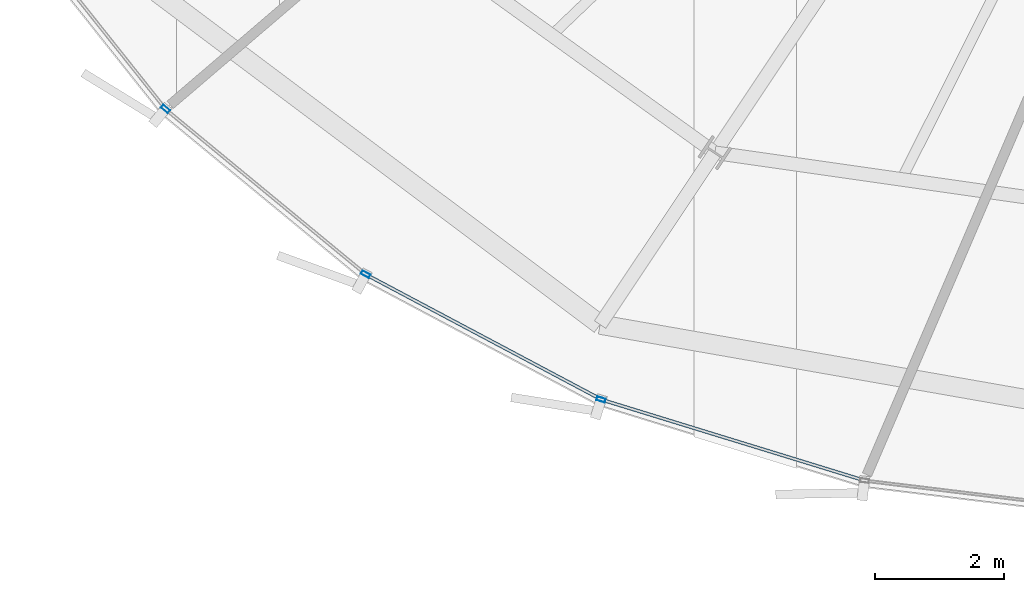
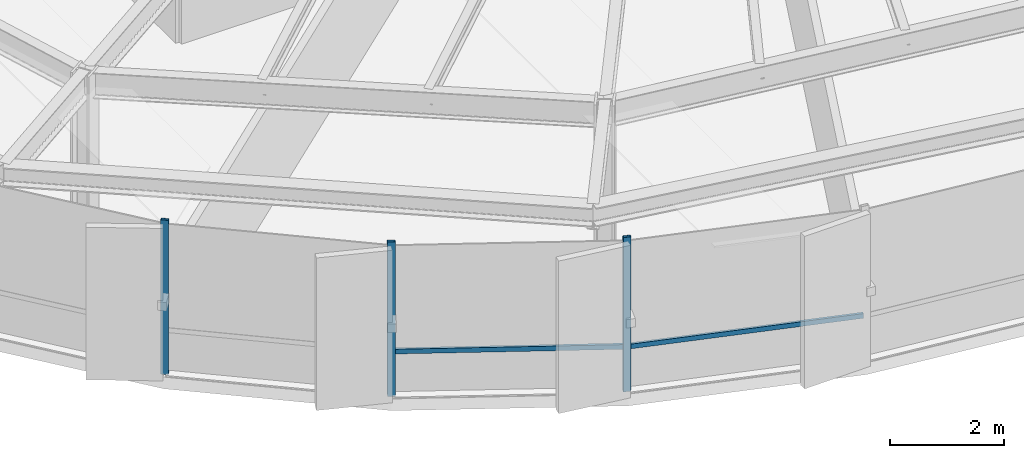
# One storey, part 2 of 36: 5 members, 1 element without a shape of its own.
"""IFC4 building model written with IfcOpenShell, lengths in metres."""

import ifcopenshell
import ifcopenshell.guid

model = None  # the IFC model being written
_history = None  # IfcOwnerHistory: only IFC2X3 demands one
_inside = {}  # id of a spatial element -> (the spatial element, [elements in it])
_under = {}  # id of a project, library or spatial element -> (it, [spatial elements below it])
_declared = {}  # id of a project -> (the project, [libraries it declares])
_typed = {}  # id of a type object -> (the type object, [elements of that type])
_made_of = {}  # id of a material, layer set ... -> (it, [elements and type objects made of it])


def new_model(schema):
    """Start an empty IFC model of exactly this schema.

    Asked for "IFC4X3", IfcOpenShell would pick the latest addendum, in which some entities
    have other attributes; the version numbers below select the first issue.
    IFC2X3 requires an IfcOwnerHistory on every rooted entity: one is made here for all.
    """
    global model, _history
    if schema == "IFC4X3":
        model = ifcopenshell.file(schema_version=(4, 3, 0, 0))
    else:
        model = ifcopenshell.file(schema=schema)
    _inside.clear()
    _under.clear()
    _declared.clear()
    _typed.clear()
    _made_of.clear()
    _history = None
    if model.schema == "IFC2X3":
        org = make("IfcOrganization", Name="unknown")
        user = make(
            "IfcPersonAndOrganization",
            ThePerson=make("IfcPerson", FamilyName="unknown"),
            TheOrganization=org,
        )
        app = make(
            "IfcApplication",
            ApplicationDeveloper=org,
            Version="unknown",
            ApplicationFullName="unknown",
            ApplicationIdentifier="unknown",
        )
        _history = make(
            "IfcOwnerHistory",
            OwningUser=user,
            OwningApplication=app,
            ChangeAction="ADDED",
            CreationDate=0,
        )
    return model


def make(cls, **values):
    """One entity of the class cls with the attributes given. An attribute that is None is left unset."""
    return model.create_entity(
        cls, **{name: value for name, value in values.items() if value is not None}
    )


def rooted(cls, **values):
    """An entity with a GlobalId (a new one), such as an element, a storey or a relation."""
    return make(cls, GlobalId=ifcopenshell.guid.new(), OwnerHistory=_history, **values)


def si_unit(unit_type, name, prefix=None):
    """IfcSIUnit, for example si_unit("LENGTHUNIT", "METRE", prefix="MILLI")."""
    return make("IfcSIUnit", UnitType=unit_type, Prefix=prefix, Name=name)


def assignment(units):
    """IfcUnitAssignment: the units of a project."""
    return None if units is None else make("IfcUnitAssignment", Units=units)


def point(xyz):
    """IfcCartesianPoint."""
    return None if xyz is None else make("IfcCartesianPoint", Coordinates=xyz)


def direction(xyz):
    """IfcDirection."""
    return None if xyz is None else make("IfcDirection", DirectionRatios=xyz)


def frame(location, z_axis=None, x_axis=None):
    """IfcAxis2Placement3D, a coordinate frame: its origin and axes. An axis left out is left unset."""
    return make(
        "IfcAxis2Placement3D",
        Location=point(location),
        Axis=direction(z_axis),
        RefDirection=direction(x_axis),
    )


def frame_2d(location, x_axis=None):
    """IfcAxis2Placement2D, a coordinate frame in the plane: its origin and x axis."""
    return make(
        "IfcAxis2Placement2D", Location=point(location), RefDirection=direction(x_axis)
    )


def origin():
    """The frame at (0, 0, 0) with its axes left unset."""
    return frame((0.0, 0.0, 0.0))


def origin_2d():
    """The frame at (0, 0) in the plane with its x axis left unset."""
    return frame_2d((0.0, 0.0))


def place(relative_to, where):
    """IfcLocalPlacement: puts the frame where relative to a parent placement (None: the world)."""
    return make(
        "IfcLocalPlacement", PlacementRelTo=relative_to, RelativePlacement=where
    )


def context(
    kind, dimensions, precision=None, world=None, true_north=None, identifier=None
):
    """IfcGeometricRepresentationContext, for example the 3D "Model" context."""
    return make(
        "IfcGeometricRepresentationContext",
        ContextIdentifier=identifier,
        ContextType=kind,
        CoordinateSpaceDimension=dimensions,
        Precision=precision,
        WorldCoordinateSystem=world,
        TrueNorth=true_north,
    )


def subcontext(parent, identifier, kind, view, scale=None):
    """IfcGeometricRepresentationSubContext, for example "Body" below "Model"."""
    return make(
        "IfcGeometricRepresentationSubContext",
        ContextIdentifier=identifier,
        ContextType=kind,
        ParentContext=parent,
        TargetScale=scale,
        TargetView=view,
    )


def project(units=None, contexts=None):
    """IfcProject with its units and contexts."""
    return rooted(
        "IfcProject",
        Name="project",
        RepresentationContexts=contexts,
        UnitsInContext=assignment(units),
    )


def spatial(cls, under=None, at=None, **own):
    """A site, building, storey or space (cls), placed at a placement, below another one or the project."""
    s = rooted(cls, ObjectPlacement=at, **own)
    if under is not None:
        _under.setdefault(under.id(), (under, []))[1].append(s)
    return s


def profile(cls, at=None, kind="AREA", **sizes):
    """A parametric profile (cls). Its sizes go by their IFC names, for example OverallWidth=200.0."""
    return make(cls, ProfileType=kind, Position=at, **sizes)


def hollow_rectangle(**sizes):
    """IfcRectangleHollowProfileDef."""
    return profile("IfcRectangleHollowProfileDef", **sizes)


def extrude(swept, where, along, depth):
    """IfcExtrudedAreaSolid: the profile swept, set in the frame where, extruded along a direction by depth."""
    return make(
        "IfcExtrudedAreaSolid",
        SweptArea=swept,
        Position=where,
        ExtrudedDirection=direction(along),
        Depth=depth,
    )


def shape(context_of_items, identifier, shape_type, items):
    """IfcShapeRepresentation: the items that make up one representation, for example the "Body"."""
    return make(
        "IfcShapeRepresentation",
        ContextOfItems=context_of_items,
        RepresentationIdentifier=identifier,
        RepresentationType=shape_type,
        Items=items,
    )


def source(mapping_origin, context_of_items, identifier, shape_type, items):
    """IfcRepresentationMap: a shape defined once, which mapped items show again and again."""
    return make(
        "IfcRepresentationMap",
        MappingOrigin=mapping_origin,
        MappedRepresentation=shape(context_of_items, identifier, shape_type, items),
    )


def transform(
    local_origin,
    x_axis=None,
    y_axis=None,
    z_axis=None,
    scale=None,
    scale2=None,
    scale3=None,
    uniform=True,
):
    """IfcCartesianTransformationOperator3D, or its non-uniform kind. x_axis, y_axis, z_axis: its Axis1, 2, 3."""
    if uniform:
        return make(
            "IfcCartesianTransformationOperator3D",
            Axis1=direction(x_axis),
            Axis2=direction(y_axis),
            LocalOrigin=point(local_origin),
            Scale=scale,
            Axis3=direction(z_axis),
        )
    return make(
        "IfcCartesianTransformationOperator3DnonUniform",
        Axis1=direction(x_axis),
        Axis2=direction(y_axis),
        LocalOrigin=point(local_origin),
        Scale=scale,
        Axis3=direction(z_axis),
        Scale2=scale2,
        Scale3=scale3,
    )


def mapped(mapping_source, mapping_target):
    """IfcMappedItem: shows the shape of a source again, moved by a transform."""
    return make(
        "IfcMappedItem", MappingSource=mapping_source, MappingTarget=mapping_target
    )


def material(Name=None, Category=None):
    """IfcMaterial."""
    return make("IfcMaterial", Name=Name, Category=Category)


def layer(
    of_material, thickness, ventilated=None, Name=None, Category=None, Priority=None
):
    """IfcMaterialLayer: one layer of a wall or slab, of a material (None: an air gap)."""
    return make(
        "IfcMaterialLayer",
        Material=of_material,
        LayerThickness=thickness,
        IsVentilated=ventilated,
        Name=Name,
        Category=Category,
        Priority=Priority,
    )


def layer_set(layers, Name=None):
    """IfcMaterialLayerSet."""
    return make("IfcMaterialLayerSet", MaterialLayers=layers, LayerSetName=Name)


def material_profile(
    of_material, cross_section, Name=None, Category=None, Priority=None
):
    """IfcMaterialProfile: a cross section and its material."""
    return make(
        "IfcMaterialProfile",
        Name=Name,
        Material=of_material,
        Profile=cross_section,
        Priority=Priority,
        Category=Category,
    )


def profile_set(profiles, Name=None, composite=None):
    """IfcMaterialProfileSet."""
    return make(
        "IfcMaterialProfileSet",
        Name=Name,
        MaterialProfiles=profiles,
        CompositeProfile=composite,
    )


def made_of(thing, what):
    """Note that an element or type object is made of a material, layer set ...; save() writes the relation."""
    if what is not None:
        _made_of.setdefault(what.id(), (what, []))[1].append(thing)
    return thing


def type_object(cls, material=None, **own):
    """A type object (cls), such as IfcWallType, which elements share."""
    return made_of(rooted(cls, **own), material)


def element(
    cls,
    number,
    at=None,
    inside=None,
    cuts=None,
    type_object=None,
    material=None,
    context=None,
    identifier="Body",
    shape_type=None,
    held_by="IfcProductDefinitionShape",
    body=None,
    shapes=None,
    **own,
):
    """One element of the class cls, such as IfcWall. Its Tag is "e" and its number.

    at: its placement. inside: the storey or other place that contains it. cuts: it is an
    opening in that element (IfcRelVoidsElement). A single representation is given by context,
    identifier, shape_type and body (its items); several are given by shapes. held_by: the class
    of the entity that holds the representations. save() writes the other relations.
    """
    e = rooted(cls, Tag="e%d" % number, ObjectPlacement=at, **own)
    if body is not None:
        shapes = [shape(context, identifier, shape_type, body)]
    if shapes is not None:
        e.Representation = make(held_by, Representations=shapes)
    if inside is not None:
        _inside.setdefault(inside.id(), (inside, []))[1].append(e)
    if cuts is not None:
        rooted(
            "IfcRelVoidsElement", RelatingBuildingElement=cuts, RelatedOpeningElement=e
        )
    if type_object is not None:
        _typed.setdefault(type_object.id(), (type_object, []))[1].append(e)
    return made_of(e, material)


def aggregate(whole, parts):
    """IfcRelAggregates: a whole, such as a stair, and the parts it consists of."""
    return rooted("IfcRelAggregates", RelatingObject=whole, RelatedObjects=parts)


def save(model, path):
    """Write the relations noted so far, then the file.

    IfcRelAggregates (storeys below a building ...), IfcRelContainedInSpatialStructure (elements
    in a storey), IfcRelDefinesByType, IfcRelAssociatesMaterial and IfcRelDeclares: one each for
    every whole, place, type object, material and project.
    """
    for whole, parts in _under.values():
        aggregate(whole, parts)
    for where, things in _inside.values():
        rooted(
            "IfcRelContainedInSpatialStructure",
            RelatedElements=things,
            RelatingStructure=where,
        )
    for kind, things in _typed.values():
        rooted("IfcRelDefinesByType", RelatedObjects=things, RelatingType=kind)
    for what, things in _made_of.values():
        rooted("IfcRelAssociatesMaterial", RelatedObjects=things, RelatingMaterial=what)
    for by, libraries in _declared.values():
        rooted("IfcRelDeclares", RelatingContext=by, RelatedDefinitions=libraries)
    model.write(path)


model = new_model("IFC4")

# Units and contexts
model_context = context("Model", 3, precision=1e-05, world=origin(), true_north=direction((0.0, 1.0)))
body_context = subcontext(model_context, "Body", "Model", "MODEL_VIEW")
ifc_project = project(units=[si_unit("LENGTHUNIT", "METRE"), si_unit("AREAUNIT", "SQUARE_METRE"), si_unit("VOLUMEUNIT", "CUBIC_METRE"), si_unit("PLANEANGLEUNIT", "RADIAN"), si_unit("MASSUNIT", "GRAM", prefix="KILO"), si_unit("THERMODYNAMICTEMPERATUREUNIT", "KELVIN")], contexts=[model_context])

# Site, building, storey
site_placement = place(None, origin())
site = spatial("IfcSite", under=ifc_project, at=site_placement, CompositionType="ELEMENT")
building_placement = place(site_placement, origin())
building = spatial("IfcBuilding", under=site, at=building_placement, Name="Kethvar Cultural Tower", CompositionType="ELEMENT")
storey_placement = place(building_placement, frame((0.0, 0.0, 164.300048828125)))
storey = spatial("IfcBuildingStorey", under=building, at=storey_placement, Name="L42", CompositionType="ELEMENT", Elevation=164.300048828125)

# Curtain wall, members
ifc_material = material(Name="Aluminium 6063-T6", Category="aluminium")
ifc_layer = layer(ifc_material, 0.179931640625, Name="Aluminium 6063-T6", Category="aluminium")
ifc_layer_set = layer_set([ifc_layer], Name="Aluminium 6063-T6 (180 mm)")
curtain_wall_type = type_object("IfcCurtainWallType", Name="CW-SYS-04-Z34", PredefinedType="NOTDEFINED", material=ifc_layer_set)
curtain_wall_placement = place(storey_placement, origin())
curtain_wall = element("IfcCurtainWall", 1, at=curtain_wall_placement, inside=storey, type_object=curtain_wall_type, Name="L42 Curtain Wall Run 04", PredefinedType="NOTDEFINED")
ifc_material_profile_1 = material_profile(ifc_material, hollow_rectangle(XDim=0.06005859375, YDim=0.139892578125, WallThickness=0.0048828125, at=origin_2d()), Name="Aluminium 6063-T6 — RHS140x60x5")
ifc_profile_set_1 = profile_set([ifc_material_profile_1], Name="Aluminium 6063-T6 — RHS140x60x5")
member_type_1 = type_object("IfcMemberType", Name="CW-SYS-04-Z34-MUL", PredefinedType="MULLION", material=ifc_profile_set_1)
shared_shape_1 = source(origin(), body_context, "Body", "SweptSolid", [
    extrude(hollow_rectangle(XDim=0.06005859375, YDim=0.139892578125, WallThickness=0.0048828125, at=origin_2d()), origin(), (0.0, 0.0, 1.0), 3.300048828125),
])
member_1_placement = place(storey_placement, frame((25.8408203125, 9.8447265625, 0.0), z_axis=(0.0, 0.0, 1.0), x_axis=(0.636078220278, 0.771624583388, 0.0)))
member_1 = element("IfcMember", 2, at=member_1_placement, type_object=member_type_1, Name="CW-L42-R04 Mullion 2", PredefinedType="MULLION", context=body_context, shape_type="MappedRepresentation", body=[
    mapped(shared_shape_1, transform((0.0, 0.0, 0.0), scale=1.0)),
])
member_2_placement = place(storey_placement, frame((28.9423828125, 7.28515625, 0.0), z_axis=(0.0, 0.0, 1.0), x_axis=(0.468962943639, 0.883217842604, 0.0)))
member_2 = element("IfcMember", 3, at=member_2_placement, type_object=member_type_1, Name="CW-L42-R04 Mullion 3", PredefinedType="MULLION", context=body_context, shape_type="MappedRepresentation", body=[
    mapped(shared_shape_1, transform((0.0, 0.0, 0.0), scale=1.0)),
])
member_3_placement = place(storey_placement, frame((32.58740234375, 5.347412109375, 0.0), z_axis=(0.0, 0.0, 1.0), x_axis=(0.293990279624, 0.955808409404, 0.0)))
member_3 = element("IfcMember", 4, at=member_3_placement, type_object=member_type_1, Name="CW-L42-R04 Mullion 4", PredefinedType="MULLION", context=body_context, shape_type="MappedRepresentation", body=[
    mapped(shared_shape_1, transform((0.0, 0.0, 0.0), scale=1.0)),
])
ifc_material_profile_2 = material_profile(ifc_material, hollow_rectangle(XDim=0.050048828125, YDim=0.10009765625, WallThickness=0.00390625, at=origin_2d()), Name="Aluminium 6063-T6 — RHS100x50x4")
ifc_profile_set_2 = profile_set([ifc_material_profile_2], Name="Aluminium 6063-T6 — RHS100x50x4")
member_type_2 = type_object("IfcMemberType", Name="CW-SYS-04-Z34-TRN", PredefinedType="USERDEFINED", material=ifc_profile_set_2)
shared_shape_2 = source(origin(), body_context, "Body", "SweptSolid", [
    extrude(hollow_rectangle(XDim=0.050048828125, YDim=0.10009765625, WallThickness=0.00390625, at=origin_2d()), origin(), (0.0, 0.0, 1.0), 4.199951171875),
])
member_4_placement = place(storey_placement, frame((32.628662109375, 5.334716796875, 0.949951171875), z_axis=(0.955801628752, -0.294012323678, 0.0), x_axis=(0.294012323678, 0.955801628752, 0.0)))
member_4 = element("IfcMember", 5, at=member_4_placement, type_object=member_type_2, Name="CW-L42-R04 Transom 4", ObjectType="TRANSOM", PredefinedType="USERDEFINED", context=body_context, shape_type="MappedRepresentation", body=[
    mapped(shared_shape_2, transform((0.0, 0.0, 0.0), scale=1.0)),
])
shared_shape_3 = source(origin(), body_context, "Body", "SweptSolid", [
    extrude(hollow_rectangle(XDim=0.050048828125, YDim=0.10009765625, WallThickness=0.00390625, at=origin_2d()), origin(), (0.0, 0.0, 1.0), 4.0625),
])
member_5_placement = place(storey_placement, frame((28.980712890625, 7.264892578125, 0.949951171875), z_axis=(0.883196630032, -0.469002891996, 0.0), x_axis=(0.469002891996, 0.883196630032, 0.0)))
member_5 = element("IfcMember", 6, at=member_5_placement, type_object=member_type_2, Name="CW-L42-R04 Transom 3", ObjectType="TRANSOM", PredefinedType="USERDEFINED", context=body_context, shape_type="MappedRepresentation", body=[
    mapped(shared_shape_3, transform((0.0, 0.0, 0.0), scale=1.0)),
])
aggregate(curtain_wall, [member_1, member_2, member_3, member_5, member_4])

save(model, "model.ifc")
